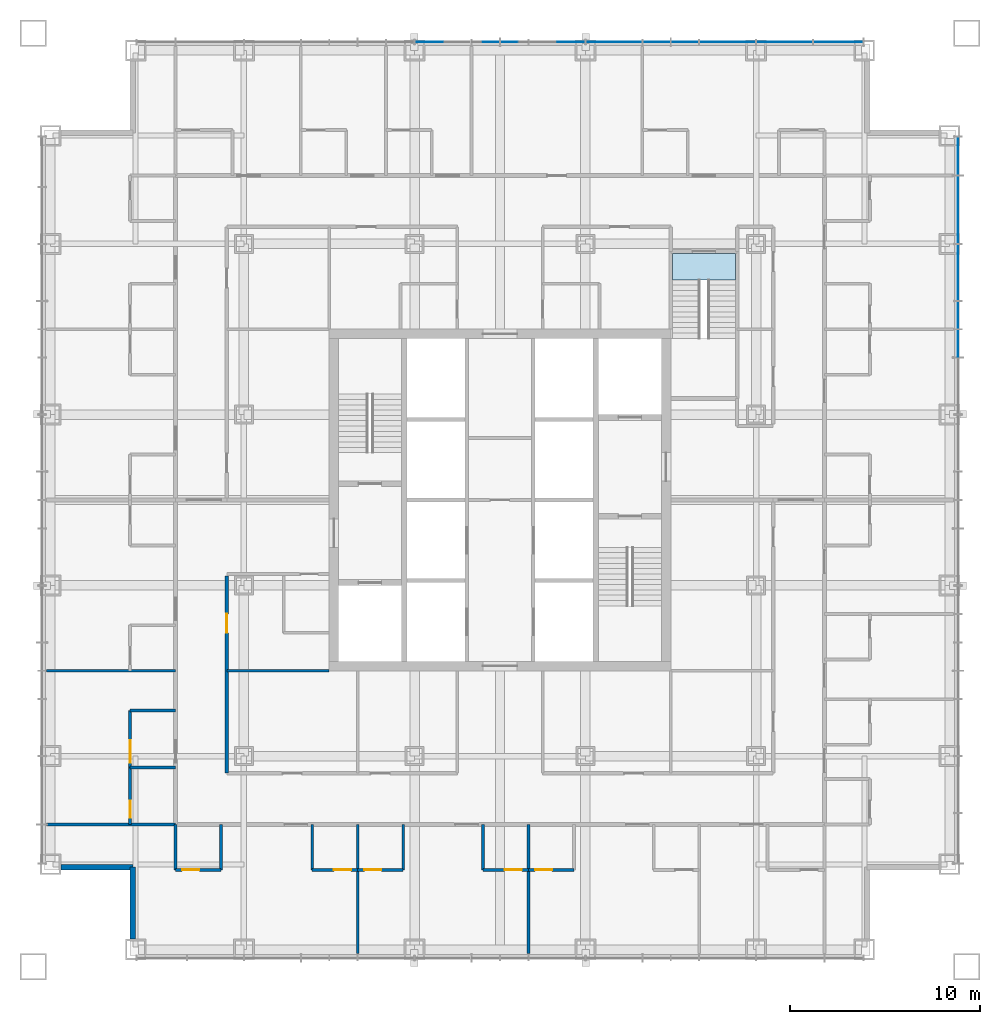
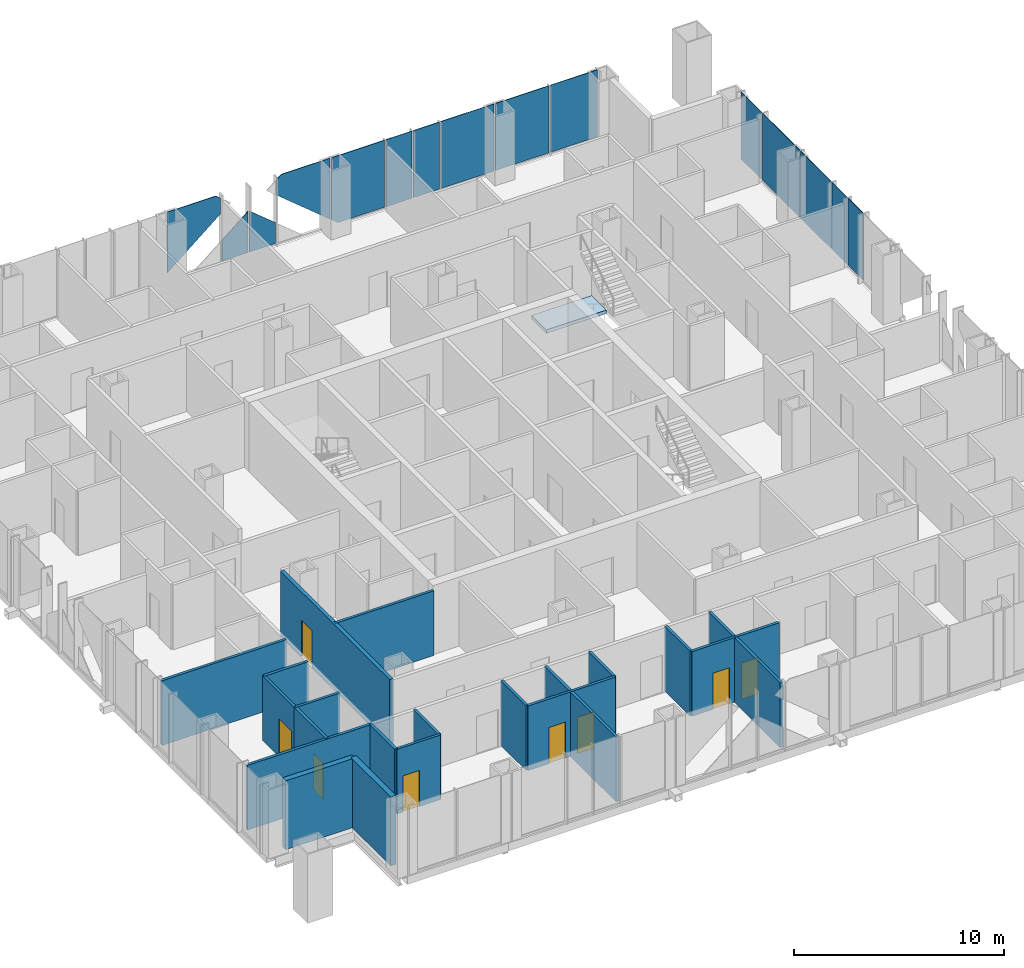
# One storey, part 8 of 16: 22 walls, 15 plates, 8 doors, 1 slab, 8 openings, 3 elements without a shape of their own.
"""IFC4 building model written with IfcOpenShell, lengths in metres."""

import ifcopenshell
import ifcopenshell.guid

model = None  # the IFC model being written
_history = None  # IfcOwnerHistory: only IFC2X3 demands one
_inside = {}  # id of a spatial element -> (the spatial element, [elements in it])
_under = {}  # id of a project, library or spatial element -> (it, [spatial elements below it])
_declared = {}  # id of a project -> (the project, [libraries it declares])
_typed = {}  # id of a type object -> (the type object, [elements of that type])
_made_of = {}  # id of a material, layer set ... -> (it, [elements and type objects made of it])


def new_model(schema):
    """Start an empty IFC model of exactly this schema.

    Asked for "IFC4X3", IfcOpenShell would pick the latest addendum, in which some entities
    have other attributes; the version numbers below select the first issue.
    IFC2X3 requires an IfcOwnerHistory on every rooted entity: one is made here for all.
    """
    global model, _history
    if schema == "IFC4X3":
        model = ifcopenshell.file(schema_version=(4, 3, 0, 0))
    else:
        model = ifcopenshell.file(schema=schema)
    _inside.clear()
    _under.clear()
    _declared.clear()
    _typed.clear()
    _made_of.clear()
    _history = None
    if model.schema == "IFC2X3":
        org = make("IfcOrganization", Name="unknown")
        user = make(
            "IfcPersonAndOrganization",
            ThePerson=make("IfcPerson", FamilyName="unknown"),
            TheOrganization=org,
        )
        app = make(
            "IfcApplication",
            ApplicationDeveloper=org,
            Version="unknown",
            ApplicationFullName="unknown",
            ApplicationIdentifier="unknown",
        )
        _history = make(
            "IfcOwnerHistory",
            OwningUser=user,
            OwningApplication=app,
            ChangeAction="ADDED",
            CreationDate=0,
        )
    return model


def make(cls, **values):
    """One entity of the class cls with the attributes given. An attribute that is None is left unset."""
    return model.create_entity(
        cls, **{name: value for name, value in values.items() if value is not None}
    )


def rooted(cls, **values):
    """An entity with a GlobalId (a new one), such as an element, a storey or a relation."""
    return make(cls, GlobalId=ifcopenshell.guid.new(), OwnerHistory=_history, **values)


def si_unit(unit_type, name, prefix=None):
    """IfcSIUnit, for example si_unit("LENGTHUNIT", "METRE", prefix="MILLI")."""
    return make("IfcSIUnit", UnitType=unit_type, Prefix=prefix, Name=name)


def assignment(units):
    """IfcUnitAssignment: the units of a project."""
    return None if units is None else make("IfcUnitAssignment", Units=units)


def point(xyz):
    """IfcCartesianPoint."""
    return None if xyz is None else make("IfcCartesianPoint", Coordinates=xyz)


def direction(xyz):
    """IfcDirection."""
    return None if xyz is None else make("IfcDirection", DirectionRatios=xyz)


def frame(location, z_axis=None, x_axis=None):
    """IfcAxis2Placement3D, a coordinate frame: its origin and axes. An axis left out is left unset."""
    return make(
        "IfcAxis2Placement3D",
        Location=point(location),
        Axis=direction(z_axis),
        RefDirection=direction(x_axis),
    )


def frame_2d(location, x_axis=None):
    """IfcAxis2Placement2D, a coordinate frame in the plane: its origin and x axis."""
    return make(
        "IfcAxis2Placement2D", Location=point(location), RefDirection=direction(x_axis)
    )


def origin():
    """The frame at (0, 0, 0) with its axes left unset."""
    return frame((0.0, 0.0, 0.0))


def origin_2d():
    """The frame at (0, 0) in the plane with its x axis left unset."""
    return frame_2d((0.0, 0.0))


def place(relative_to, where):
    """IfcLocalPlacement: puts the frame where relative to a parent placement (None: the world)."""
    return make(
        "IfcLocalPlacement", PlacementRelTo=relative_to, RelativePlacement=where
    )


def context(
    kind, dimensions, precision=None, world=None, true_north=None, identifier=None
):
    """IfcGeometricRepresentationContext, for example the 3D "Model" context."""
    return make(
        "IfcGeometricRepresentationContext",
        ContextIdentifier=identifier,
        ContextType=kind,
        CoordinateSpaceDimension=dimensions,
        Precision=precision,
        WorldCoordinateSystem=world,
        TrueNorth=true_north,
    )


def subcontext(parent, identifier, kind, view, scale=None):
    """IfcGeometricRepresentationSubContext, for example "Body" below "Model"."""
    return make(
        "IfcGeometricRepresentationSubContext",
        ContextIdentifier=identifier,
        ContextType=kind,
        ParentContext=parent,
        TargetScale=scale,
        TargetView=view,
    )


def project(units=None, contexts=None):
    """IfcProject with its units and contexts."""
    return rooted(
        "IfcProject",
        Name="project",
        RepresentationContexts=contexts,
        UnitsInContext=assignment(units),
    )


def spatial(cls, under=None, at=None, **own):
    """A site, building, storey or space (cls), placed at a placement, below another one or the project."""
    s = rooted(cls, ObjectPlacement=at, **own)
    if under is not None:
        _under.setdefault(under.id(), (under, []))[1].append(s)
    return s


def polyline(points):
    """IfcPolyline through the points."""
    return make("IfcPolyline", Points=[point(p) for p in points])


def profile(cls, at=None, kind="AREA", **sizes):
    """A parametric profile (cls). Its sizes go by their IFC names, for example OverallWidth=200.0."""
    return make(cls, ProfileType=kind, Position=at, **sizes)


def rectangle(**sizes):
    """IfcRectangleProfileDef."""
    return profile("IfcRectangleProfileDef", **sizes)


def outline(outer, holes=None, kind="AREA"):
    """IfcArbitraryClosedProfileDef: a profile drawn as a closed curve; with holes, ...WithVoids."""
    if holes is None:
        return make("IfcArbitraryClosedProfileDef", ProfileType=kind, OuterCurve=outer)
    return make(
        "IfcArbitraryProfileDefWithVoids",
        ProfileType=kind,
        OuterCurve=outer,
        InnerCurves=holes,
    )


def extrude(swept, where, along, depth):
    """IfcExtrudedAreaSolid: the profile swept, set in the frame where, extruded along a direction by depth."""
    return make(
        "IfcExtrudedAreaSolid",
        SweptArea=swept,
        Position=where,
        ExtrudedDirection=direction(along),
        Depth=depth,
    )


def shape(context_of_items, identifier, shape_type, items):
    """IfcShapeRepresentation: the items that make up one representation, for example the "Body"."""
    return make(
        "IfcShapeRepresentation",
        ContextOfItems=context_of_items,
        RepresentationIdentifier=identifier,
        RepresentationType=shape_type,
        Items=items,
    )


def material(Name=None, Category=None):
    """IfcMaterial."""
    return make("IfcMaterial", Name=Name, Category=Category)


def layer(
    of_material, thickness, ventilated=None, Name=None, Category=None, Priority=None
):
    """IfcMaterialLayer: one layer of a wall or slab, of a material (None: an air gap)."""
    return make(
        "IfcMaterialLayer",
        Material=of_material,
        LayerThickness=thickness,
        IsVentilated=ventilated,
        Name=Name,
        Category=Category,
        Priority=Priority,
    )


def layer_set(layers, Name=None):
    """IfcMaterialLayerSet."""
    return make("IfcMaterialLayerSet", MaterialLayers=layers, LayerSetName=Name)


def made_of(thing, what):
    """Note that an element or type object is made of a material, layer set ...; save() writes the relation."""
    if what is not None:
        _made_of.setdefault(what.id(), (what, []))[1].append(thing)
    return thing


def type_object(cls, material=None, **own):
    """A type object (cls), such as IfcWallType, which elements share."""
    return made_of(rooted(cls, **own), material)


def element(
    cls,
    number,
    at=None,
    inside=None,
    cuts=None,
    type_object=None,
    material=None,
    context=None,
    identifier="Body",
    shape_type=None,
    held_by="IfcProductDefinitionShape",
    body=None,
    shapes=None,
    **own,
):
    """One element of the class cls, such as IfcWall. Its Tag is "e" and its number.

    at: its placement. inside: the storey or other place that contains it. cuts: it is an
    opening in that element (IfcRelVoidsElement). A single representation is given by context,
    identifier, shape_type and body (its items); several are given by shapes. held_by: the class
    of the entity that holds the representations. save() writes the other relations.
    """
    e = rooted(cls, Tag="e%d" % number, ObjectPlacement=at, **own)
    if body is not None:
        shapes = [shape(context, identifier, shape_type, body)]
    if shapes is not None:
        e.Representation = make(held_by, Representations=shapes)
    if inside is not None:
        _inside.setdefault(inside.id(), (inside, []))[1].append(e)
    if cuts is not None:
        rooted(
            "IfcRelVoidsElement", RelatingBuildingElement=cuts, RelatedOpeningElement=e
        )
    if type_object is not None:
        _typed.setdefault(type_object.id(), (type_object, []))[1].append(e)
    return made_of(e, material)


def fill(opening, filler):
    """IfcRelFillsElement: the door or window that sits in an opening."""
    return rooted(
        "IfcRelFillsElement",
        RelatingOpeningElement=opening,
        RelatedBuildingElement=filler,
    )


def aggregate(whole, parts):
    """IfcRelAggregates: a whole, such as a stair, and the parts it consists of."""
    return rooted("IfcRelAggregates", RelatingObject=whole, RelatedObjects=parts)


def save(model, path):
    """Write the relations noted so far, then the file.

    IfcRelAggregates (storeys below a building ...), IfcRelContainedInSpatialStructure (elements
    in a storey), IfcRelDefinesByType, IfcRelAssociatesMaterial and IfcRelDeclares: one each for
    every whole, place, type object, material and project.
    """
    for whole, parts in _under.values():
        aggregate(whole, parts)
    for where, things in _inside.values():
        rooted(
            "IfcRelContainedInSpatialStructure",
            RelatedElements=things,
            RelatingStructure=where,
        )
    for kind, things in _typed.values():
        rooted("IfcRelDefinesByType", RelatedObjects=things, RelatingType=kind)
    for what, things in _made_of.values():
        rooted("IfcRelAssociatesMaterial", RelatedObjects=things, RelatingMaterial=what)
    for by, libraries in _declared.values():
        rooted("IfcRelDeclares", RelatingContext=by, RelatedDefinitions=libraries)
    model.write(path)


model = new_model("IFC4")

# Units and contexts
model_context = context("Model", 3, precision=1e-05, world=origin(), true_north=direction((0.0, 1.0)))
body_context = subcontext(model_context, "Body", "Model", "MODEL_VIEW")
ifc_project = project(units=[si_unit("LENGTHUNIT", "METRE"), si_unit("AREAUNIT", "SQUARE_METRE"), si_unit("VOLUMEUNIT", "CUBIC_METRE"), si_unit("PLANEANGLEUNIT", "RADIAN"), si_unit("MASSUNIT", "GRAM", prefix="KILO")], contexts=[model_context])

# Site, building, storey
site_placement = place(None, origin())
site = spatial("IfcSite", under=ifc_project, at=site_placement, CompositionType="ELEMENT")
building_placement = place(site_placement, origin())
building = spatial("IfcBuilding", under=site, at=building_placement, Name="Malebo Sky Hospital", CompositionType="ELEMENT")
storey_placement = place(building_placement, frame((0.0, 0.0, 116.0)))
storey = spatial("IfcBuildingStorey", under=building, at=storey_placement, Name="L27", CompositionType="ELEMENT", Elevation=116.0)

# Stair, slab
ifc_material_1 = material(Name="Concrete C40/50", Category="concrete")
stair_type = type_object("IfcStairType", Name="HALF-TURN STAIR 1400 R167", PredefinedType="HALF_TURN_STAIR", material=ifc_material_1)
stair_placement = place(storey_placement, origin())
stair = element("IfcStair", 1, at=stair_placement, inside=storey, type_object=stair_type, Name="Stair S3 L27 type ST1B", PredefinedType="HALF_TURN_STAIR")
ifc_layer_1 = layer(ifc_material_1, 0.199951171875)
ifc_layer_set_1 = layer_set([ifc_layer_1], Name="STAIR LANDING 200")
slab_type = type_object("IfcSlabType", Name="STAIR LANDING 200", PredefinedType="LANDING", material=ifc_layer_set_1)
slab_placement = place(storey_placement, frame((0.0, 0.0, -0.199951171875)))
slab = element("IfcSlab", 2, at=slab_placement, type_object=slab_type, Name="S3 landing 1", PredefinedType="LANDING", context=body_context, shape_type="SweptSolid", body=[
    extrude(outline(polyline([(69.10009765625, 73.60009765625), (72.39990234375, 73.60009765625), (72.39990234375, 75.0), (69.10009765625, 75.0), (69.10009765625, 73.60009765625)])), origin(), (0.0, 0.0, 1.0), 0.199951171875),
])
aggregate(stair, [slab])

# Curtain wall, plates
ifc_material_2 = material(Name="Anodised aluminium, natural silver", Category="aluminium")
ifc_layer_2 = layer(ifc_material_2, 0.25)
ifc_layer_set_2 = layer_set([ifc_layer_2], Name="WARD CURTAIN WALL NORTH AND SOUTH")
curtain_wall_type_1 = type_object("IfcCurtainWallType", Name="WARD CURTAIN WALL NORTH AND SOUTH", PredefinedType="NOTDEFINED", material=ifc_layer_set_2)
curtain_wall_1_placement = place(storey_placement, origin())
curtain_wall_1 = element("IfcCurtainWall", 3, at=curtain_wall_1_placement, inside=storey, type_object=curtain_wall_type_1, Name="NS curtain wall N", PredefinedType="NOTDEFINED")
ifc_material_3 = material(Name="Clear low-iron double glazing", Category="glass")
ifc_layer_3 = layer(ifc_material_3, 0.031982421875)
ifc_layer_set_3 = layer_set([ifc_layer_3], Name="VISION PANEL CLEAR 32")
plate_type = type_object("IfcPlateType", Name="VISION PANEL CLEAR 32", PredefinedType="CURTAIN_PANEL", material=ifc_layer_set_3)
plate_1_placement = place(storey_placement, frame((57.0, 86.135009765625, 0.457763671875), z_axis=(0.0, 0.0, 1.0), x_axis=(1.0, 0.0, 0.0)))
plate_1 = element("IfcPlate", 4, at=plate_1_placement, type_object=plate_type, Name="Panel 8", PredefinedType="CURTAIN_PANEL", context=body_context, shape_type="SweptSolid", body=[
    extrude(outline(polyline([(-1.46240234375, 0.0), (1.46240234375, 2.410888671875), (1.46240234375, 3.323974609375), (1.209716796875, 3.5322265625), (-1.46240234375, 3.5322265625), (-1.46240234375, 0.0)])), frame((0.0, 0.01611328125, 0.0), z_axis=(0.0, -1.0, 0.0), x_axis=(1.0, 0.0, 0.0)), (0.0, 0.0, 1.0), 0.031982421875),
])
plate_2_placement = place(storey_placement, frame((59.25, 86.135009765625, 0.10009765625), z_axis=(0.0, 0.0, 1.0), x_axis=(1.0, 0.0, 0.0)))
plate_2 = element("IfcPlate", 5, at=plate_2_placement, type_object=plate_type, Name="Panel 9", PredefinedType="CURTAIN_PANEL", context=body_context, shape_type="SweptSolid", body=[
    extrude(outline(polyline([(-0.71240234375, 0.0), (0.71240234375, 0.0), (0.71240234375, 2.383544921875), (-0.71240234375, 1.208984375), (-0.71240234375, 0.0)])), frame((0.0, 0.01611328125, 0.0), z_axis=(0.0, -1.0, 0.0), x_axis=(1.0, 0.0, 0.0)), (0.0, 0.0, 1.0), 0.031982421875),
])
plate_3_placement = place(storey_placement, frame((60.75, 86.135009765625, 0.10009765625), z_axis=(0.0, 0.0, 1.0), x_axis=(1.0, 0.0, 0.0)))
plate_3 = element("IfcPlate", 6, at=plate_3_placement, type_object=plate_type, Name="Panel 10", PredefinedType="CURTAIN_PANEL", context=body_context, shape_type="SweptSolid", body=[
    extrude(outline(polyline([(-0.71240234375, 0.0), (0.71240234375, 0.0), (0.71240234375, 1.208984375), (-0.71240234375, 2.383544921875), (-0.71240234375, 0.0)])), frame((0.0, 0.01611328125, 0.0), z_axis=(0.0, -1.0, 0.0), x_axis=(1.0, 0.0, 0.0)), (0.0, 0.0, 1.0), 0.031982421875),
])
plate_4_placement = place(storey_placement, frame((63.0, 86.135009765625, 0.457763671875), z_axis=(0.0, 0.0, 1.0), x_axis=(1.0, 0.0, 0.0)))
plate_4 = element("IfcPlate", 7, at=plate_4_placement, type_object=plate_type, Name="Panel 11", PredefinedType="CURTAIN_PANEL", context=body_context, shape_type="SweptSolid", body=[
    extrude(outline(polyline([(1.46240234375, 0.0), (1.46240234375, 3.5322265625), (-1.209716796875, 3.5322265625), (-1.46240234375, 3.323974609375), (-1.46240234375, 2.410888671875), (1.46240234375, 0.0)])), frame((0.0, 0.01611328125, 0.0), z_axis=(0.0, -1.0, 0.0), x_axis=(1.0, 0.0, 0.0)), (0.0, 0.0, 1.0), 0.031982421875),
])
plate_5_placement = place(storey_placement, frame((66.0, 86.135009765625, 0.10009765625), z_axis=(0.0, 0.0, 1.0), x_axis=(1.0, 0.0, 0.0)))
plate_5 = element("IfcPlate", 8, at=plate_5_placement, type_object=plate_type, Name="Panel 12", PredefinedType="CURTAIN_PANEL", context=body_context, shape_type="SweptSolid", body=[
    extrude(outline(polyline([(-1.103515625, 0.0), (1.46240234375, 0.0), (1.46240234375, 3.889892578125), (-1.46240234375, 3.889892578125), (-1.46240234375, 0.2958984375), (-1.103515625, 0.0)])), frame((0.0, 0.01611328125, 0.0), z_axis=(0.0, -1.0, 0.0), x_axis=(1.0, 0.0, 0.0)), (0.0, 0.0, 1.0), 0.031982421875),
])
plate_6_placement = place(storey_placement, frame((68.25, 86.135009765625, 0.10009765625), z_axis=(0.0, 0.0, 1.0), x_axis=(1.0, 0.0, 0.0)))
plate_6 = element("IfcPlate", 9, at=plate_6_placement, type_object=plate_type, Name="Panel 13", PredefinedType="CURTAIN_PANEL", context=body_context, shape_type="SweptSolid", body=[
    extrude(rectangle(XDim=1.425048828125, YDim=0.031982421875, at=origin_2d()), origin(), (0.0, 0.0, 1.0), 3.889892578125),
])
plate_7_placement = place(storey_placement, frame((69.75, 86.135009765625, 0.10009765625), z_axis=(0.0, 0.0, 1.0), x_axis=(1.0, 0.0, 0.0)))
plate_7 = element("IfcPlate", 10, at=plate_7_placement, type_object=plate_type, Name="Panel 14", PredefinedType="CURTAIN_PANEL", context=body_context, shape_type="SweptSolid", body=[
    extrude(rectangle(XDim=1.425048828125, YDim=0.031982421875, at=origin_2d()), origin(), (0.0, 0.0, 1.0), 3.889892578125),
])
plate_8_placement = place(storey_placement, frame((72.0, 86.135009765625, 0.10009765625), z_axis=(0.0, 0.0, 1.0), x_axis=(1.0, 0.0, 0.0)))
plate_8 = element("IfcPlate", 11, at=plate_8_placement, type_object=plate_type, Name="Panel 15", PredefinedType="CURTAIN_PANEL", context=body_context, shape_type="SweptSolid", body=[
    extrude(rectangle(XDim=2.925048828125, YDim=0.031982421875, at=origin_2d()), origin(), (0.0, 0.0, 1.0), 3.889892578125),
])
plate_9_placement = place(storey_placement, frame((75.0, 86.135009765625, 0.10009765625), z_axis=(0.0, 0.0, 1.0), x_axis=(1.0, 0.0, 0.0)))
plate_9 = element("IfcPlate", 12, at=plate_9_placement, type_object=plate_type, Name="Panel 16", PredefinedType="CURTAIN_PANEL", context=body_context, shape_type="SweptSolid", body=[
    extrude(rectangle(XDim=2.925048828125, YDim=0.031982421875, at=origin_2d()), origin(), (0.0, 0.0, 1.0), 3.889892578125),
])
plate_10_placement = place(storey_placement, frame((77.831298828125, 86.135009765625, 0.10009765625), z_axis=(0.0, 0.0, 1.0), x_axis=(1.0, 0.0, 0.0)))
plate_10 = element("IfcPlate", 13, at=plate_10_placement, type_object=plate_type, Name="Panel 17", PredefinedType="CURTAIN_PANEL", context=body_context, shape_type="SweptSolid", body=[
    extrude(rectangle(XDim=2.58740234375, YDim=0.031982421875, at=origin_2d()), origin(), (0.0, 0.0, 1.0), 3.889892578125),
])
aggregate(curtain_wall_1, [plate_1, plate_2, plate_3, plate_4, plate_5, plate_6, plate_7, plate_8, plate_9, plate_10])

ifc_layer_4 = layer(ifc_material_2, 0.25)
ifc_layer_set_4 = layer_set([ifc_layer_4], Name="WARD CURTAIN WALL EAST AND WEST")
curtain_wall_type_2 = type_object("IfcCurtainWallType", Name="WARD CURTAIN WALL EAST AND WEST", PredefinedType="NOTDEFINED", material=ifc_layer_set_4)
curtain_wall_2_placement = place(storey_placement, origin())
curtain_wall_2 = element("IfcCurtainWall", 14, at=curtain_wall_2_placement, inside=storey, type_object=curtain_wall_type_2, Name="EW curtain wall E", PredefinedType="NOTDEFINED")
plate_11_placement = place(storey_placement, frame((84.135009765625, 80.13134765625, 0.10009765625), z_axis=(0.0, 0.0, 1.0), x_axis=(0.0, -1.0, 0.0)))
plate_11 = element("IfcPlate", 15, at=plate_11_placement, type_object=plate_type, Name="Panel 1", PredefinedType="CURTAIN_PANEL", context=body_context, shape_type="SweptSolid", body=[
    extrude(rectangle(XDim=1.987548828125, YDim=0.031982421875, at=origin_2d()), origin(), (0.0, 0.0, 1.0), 3.889892578125),
])
plate_12_placement = place(storey_placement, frame((84.135009765625, 77.300048828125, 0.10009765625), z_axis=(0.0, 0.0, 1.0), x_axis=(0.0, -1.0, 0.0)))
plate_12 = element("IfcPlate", 16, at=plate_12_placement, type_object=plate_type, Name="Panel 2", PredefinedType="CURTAIN_PANEL", context=body_context, shape_type="SweptSolid", body=[
    extrude(rectangle(XDim=3.52490234375, YDim=0.031982421875, at=origin_2d()), origin(), (0.0, 0.0, 1.0), 3.889892578125),
])
plate_13_placement = place(storey_placement, frame((84.135009765625, 74.0, 0.10009765625), z_axis=(0.0, 0.0, 1.0), x_axis=(0.0, -1.0, 0.0)))
plate_13 = element("IfcPlate", 17, at=plate_13_placement, type_object=plate_type, Name="Panel 3", PredefinedType="CURTAIN_PANEL", context=body_context, shape_type="SweptSolid", body=[
    extrude(rectangle(XDim=2.925048828125, YDim=0.031982421875, at=origin_2d()), origin(), (0.0, 0.0, 1.0), 3.889892578125),
])
plate_14_placement = place(storey_placement, frame((84.135009765625, 71.75, 0.10009765625), z_axis=(0.0, 0.0, 1.0), x_axis=(0.0, -1.0, 0.0)))
plate_14 = element("IfcPlate", 18, at=plate_14_placement, type_object=plate_type, Name="Panel 4", PredefinedType="CURTAIN_PANEL", context=body_context, shape_type="SweptSolid", body=[
    extrude(rectangle(XDim=1.425048828125, YDim=0.031982421875, at=origin_2d()), origin(), (0.0, 0.0, 1.0), 3.889892578125),
])
plate_15_placement = place(storey_placement, frame((84.135009765625, 70.25, 0.10009765625), z_axis=(0.0, 0.0, 1.0), x_axis=(0.0, -1.0, 0.0)))
plate_15 = element("IfcPlate", 19, at=plate_15_placement, type_object=plate_type, Name="Panel 5", PredefinedType="CURTAIN_PANEL", context=body_context, shape_type="SweptSolid", body=[
    extrude(rectangle(XDim=1.425048828125, YDim=0.031982421875, at=origin_2d()), origin(), (0.0, 0.0, 1.0), 3.889892578125),
])
aggregate(curtain_wall_2, [plate_11, plate_12, plate_13, plate_14, plate_15])

# Wall, opening, door
ifc_material_4 = material(Name="Gypsum board on steel studs", Category="steel")
ifc_layer_5 = layer(ifc_material_4, 0.199951171875)
ifc_layer_set_5 = layer_set([ifc_layer_5], Name="CORRIDOR WALL 200")
wall_type_1 = type_object("IfcWallType", Name="CORRIDOR WALL 200", PredefinedType="PARTITIONING", material=ifc_layer_set_5)
wall_1_placement = place(storey_placement, frame((45.60009765625, 47.60009765625, 0.0), z_axis=(0.0, 0.0, 1.0), x_axis=(0.0, 1.0, 0.0)))
wall_1 = element("IfcWall", 20, at=wall_1_placement, inside=storey, type_object=wall_type_1, Name="Corridor Wall 200 WCI1", PredefinedType="PARTITIONING", context=body_context, shape_type="SweptSolid", body=[
    extrude(rectangle(XDim=10.39990234375, YDim=0.199951171875, at=frame_2d((5.199951171875, 0.0))), origin(), (0.0, 0.0, 1.0), 3.75),
])
opening_1_placement = place(wall_1_placement, frame((7.39990234375, 0.0, 0.0)))
opening_1 = element("IfcOpeningElement", 21, at=opening_1_placement, cuts=wall_1, Name="Opening D03", PredefinedType="OPENING", context=body_context, shape_type="SweptSolid", body=[
    extrude(rectangle(XDim=1.0, YDim=2.10009765625, at=frame_2d((0.5, 1.050048828125))), frame((0.0, 0.10986328125, 0.0), z_axis=(0.0, -1.0, 0.0), x_axis=(1.0, 0.0, 0.0)), (0.0, 0.0, 1.0), 0.219970703125),
])
ifc_material_5 = material(Name="Hardwood-faced door leaf in steel frame", Category="steel")
door_type_1 = type_object("IfcDoorType", Name="ROOM DOOR 1000", OperationType="SINGLE_SWING_LEFT", PredefinedType="DOOR", material=ifc_material_5)
door_1_placement = place(opening_1_placement, origin())
door_1 = element("IfcDoor", 22, at=door_1_placement, inside=storey, type_object=door_type_1, Name="Linen store door", OperationType="SINGLE_SWING_LEFT", OverallHeight=2.10009765625, OverallWidth=1.0, PredefinedType="DOOR", context=body_context, shape_type="SweptSolid", body=[
    extrude(rectangle(XDim=1.0, YDim=2.10009765625, at=frame_2d((0.5, 1.050048828125))), frame((0.0, 0.02490234375, 0.0), z_axis=(0.0, -1.0, 0.0), x_axis=(1.0, 0.0, 0.0)), (0.0, 0.0, 1.0), 0.050048828125),
])
fill(opening_1, door_1)

# Walls
ifc_material_6 = material(Name="Anodised aluminium rainscreen on steel framing", Category="steel")
ifc_layer_6 = layer(ifc_material_6, 0.300048828125)
ifc_layer_set_6 = layer_set([ifc_layer_6], Name="NOTCH RAINSCREEN WALL 300")
wall_type_2 = type_object("IfcWallType", Name="NOTCH RAINSCREEN WALL 300", PredefinedType="ELEMENTEDWALL", material=ifc_layer_set_6)
for number, where, z_axis, x_axis, name in (
    (23, (40.64990234375, 38.85009765625, 0.0), (0.0, 0.0, 1.0), (0.0, 1.0, 0.0), "Notch rainscreen wall S1 L27"),
    (24, (40.64990234375, 42.64990234375, 0.0), (0.0, 0.0, 1.0), (-1.0, 0.0, 0.0), "Notch rainscreen wall S2 L27"),
):
    element("IfcWall", number, at=place(storey_placement, frame(where, z_axis=z_axis, x_axis=x_axis)), inside=storey, type_object=wall_type_2, Name=name, PredefinedType="ELEMENTEDWALL", context=body_context, shape_type="SweptSolid", body=[
        extrude(rectangle(XDim=3.7998046875, YDim=0.300048828125, at=frame_2d((1.89990234375, 0.0))), origin(), (0.0, 0.0, 1.0), 4.0),
    ])
ifc_layer_7 = layer(ifc_material_4, 0.14990234375)
ifc_layer_set_7 = layer_set([ifc_layer_7], Name="PARTITION 150")
wall_type_3 = type_object("IfcWallType", Name="PARTITION 150", PredefinedType="PARTITIONING", material=ifc_layer_set_7)
for number, where, z_axis, x_axis, name in (
    (25, (42.89990234375, 53.0, 0.0), (0.0, 0.0, 1.0), (-1.0, 0.0, 0.0), "Partition 150 WP-9.0"),
    (26, (42.89990234375, 44.89990234375, 0.0), (0.0, 0.0, 1.0), (-1.0, 0.0, 0.0), "Partition 150 WP0"),
):
    element("IfcWall", number, at=place(storey_placement, frame(where, z_axis=z_axis, x_axis=x_axis)), inside=storey, type_object=wall_type_3, Name=name, PredefinedType="PARTITIONING", context=body_context, shape_type="SweptSolid", body=[
        extrude(rectangle(XDim=6.809814453125, YDim=0.14990234375, at=frame_2d((3.40478515625, 0.0))), origin(), (0.0, 0.0, 1.0), 3.75),
    ])

# Wall, opening, door
wall_2_placement = place(storey_placement, frame((40.5, 44.89990234375, 0.0), z_axis=(0.0, 0.0, 1.0), x_axis=(0.0, 1.0, 0.0)))
wall_2 = element("IfcWall", 27, at=wall_2_placement, inside=storey, type_object=wall_type_3, Name="Partition 150 WE0F", PredefinedType="PARTITIONING", context=body_context, shape_type="SweptSolid", body=[
    extrude(rectangle(XDim=3.0, YDim=0.14990234375, at=frame_2d((1.5, 0.0))), origin(), (0.0, 0.0, 1.0), 3.75),
])
opening_2_placement = place(wall_2_placement, frame((0.35009765625, 0.0, 0.0)))
opening_2 = element("IfcOpeningElement", 28, at=opening_2_placement, cuts=wall_2, Name="Opening D02", PredefinedType="OPENING", context=body_context, shape_type="SweptSolid", body=[
    extrude(rectangle(XDim=0.89990234375, YDim=2.10009765625, at=frame_2d((0.449951171875, 1.050048828125))), frame((0.0, 0.0849609375, 0.0), z_axis=(0.0, -1.0, 0.0), x_axis=(1.0, 0.0, 0.0)), (0.0, 0.0, 1.0), 0.169921875),
])
door_type_2 = type_object("IfcDoorType", Name="EN-SUITE DOOR 900", OperationType="SINGLE_SWING_LEFT", PredefinedType="DOOR", material=ifc_material_5)
door_2_placement = place(opening_2_placement, origin())
door_2 = element("IfcDoor", 29, at=door_2_placement, inside=storey, type_object=door_type_2, Name="En-suite door", OperationType="SINGLE_SWING_LEFT", OverallHeight=2.10009765625, OverallWidth=0.89990234375, PredefinedType="DOOR", context=body_context, shape_type="SweptSolid", body=[
    extrude(rectangle(XDim=0.89990234375, YDim=2.10009765625, at=frame_2d((0.449951171875, 1.050048828125))), frame((0.0, 0.02490234375, 0.0), z_axis=(0.0, -1.0, 0.0), x_axis=(1.0, 0.0, 0.0)), (0.0, 0.0, 1.0), 0.050048828125),
])
fill(opening_2, door_2)

# Walls
wall_3_placement = place(storey_placement, frame((42.89990234375, 47.89990234375, 0.0), z_axis=(0.0, 0.0, 1.0), x_axis=(-1.0, 0.0, 0.0)))
element("IfcWall", 30, at=wall_3_placement, inside=storey, type_object=wall_type_3, Name="Partition 150 WE0S", PredefinedType="PARTITIONING", context=body_context, shape_type="SweptSolid", body=[
    extrude(rectangle(XDim=2.39990234375, YDim=0.14990234375, at=frame_2d((1.199951171875, 0.0))), origin(), (0.0, 0.0, 1.0), 3.75),
])
wall_4_placement = place(storey_placement, frame((51.0, 53.0, 0.0), z_axis=(0.0, 0.0, 1.0), x_axis=(-1.0, 0.0, 0.0)))
element("IfcWall", 31, at=wall_4_placement, inside=storey, type_object=wall_type_3, Name="Partition 150 WSP0", PredefinedType="PARTITIONING", context=body_context, shape_type="SweptSolid", body=[
    extrude(rectangle(XDim=5.39990234375, YDim=0.14990234375, at=frame_2d((2.699951171875, 0.0))), origin(), (0.0, 0.0, 1.0), 3.75),
])
for number, where, z_axis, x_axis, name in (
    (32, (61.5, 44.89990234375, 0.0), (0.0, 0.0, 1.0), (0.0, -1.0, 0.0), "Partition 150 SP-1.5"),
    (33, (52.5, 44.89990234375, 0.0), (0.0, 0.0, 1.0), (0.0, -1.0, 0.0), "Partition 150 SP+7.5"),
):
    element("IfcWall", number, at=place(storey_placement, frame(where, z_axis=z_axis, x_axis=x_axis)), inside=storey, type_object=wall_type_3, Name=name, PredefinedType="PARTITIONING", context=body_context, shape_type="SweptSolid", body=[
        extrude(rectangle(XDim=6.809814453125, YDim=0.14990234375, at=frame_2d((3.40478515625, 0.0))), origin(), (0.0, 0.0, 1.0), 3.75),
    ])

# Wall, opening, door
wall_5_placement = place(storey_placement, frame((63.89990234375, 42.5, 0.0), z_axis=(0.0, 0.0, 1.0), x_axis=(-1.0, 0.0, 0.0)))
wall_5 = element("IfcWall", 34, at=wall_5_placement, inside=storey, type_object=wall_type_3, Name="Partition 150 SG1F", PredefinedType="PARTITIONING", context=body_context, shape_type="SweptSolid", body=[
    extrude(rectangle(XDim=2.39990234375, YDim=0.14990234375, at=frame_2d((1.199951171875, 0.0))), origin(), (0.0, 0.0, 1.0), 3.75),
])
opening_3_placement = place(wall_5_placement, frame((1.14990234375, 0.0, 0.0)))
opening_3 = element("IfcOpeningElement", 35, at=opening_3_placement, cuts=wall_5, Name="Opening D02", PredefinedType="OPENING", context=body_context, shape_type="SweptSolid", body=[
    extrude(rectangle(XDim=0.89990234375, YDim=2.10009765625, at=frame_2d((0.449951171875, 1.050048828125))), frame((0.0, 0.0849609375, 0.0), z_axis=(0.0, -1.0, 0.0), x_axis=(1.0, 0.0, 0.0)), (0.0, 0.0, 1.0), 0.169921875),
])
door_3_placement = place(opening_3_placement, origin())
door_3 = element("IfcDoor", 36, at=door_3_placement, inside=storey, type_object=door_type_2, Name="En-suite door", OperationType="SINGLE_SWING_RIGHT", OverallHeight=2.10009765625, OverallWidth=0.89990234375, PredefinedType="DOOR", context=body_context, shape_type="SweptSolid", body=[
    extrude(rectangle(XDim=0.89990234375, YDim=2.10009765625, at=frame_2d((0.449951171875, 1.050048828125))), frame((0.0, 0.02490234375, 0.0), z_axis=(0.0, -1.0, 0.0), x_axis=(1.0, 0.0, 0.0)), (0.0, 0.0, 1.0), 0.050048828125),
])
fill(opening_3, door_3)

wall_6_placement = place(storey_placement, frame((61.5, 42.5, 0.0), z_axis=(0.0, 0.0, 1.0), x_axis=(-1.0, 0.0, 0.0)))
wall_6 = element("IfcWall", 37, at=wall_6_placement, inside=storey, type_object=wall_type_3, Name="Partition 150 SE2F", PredefinedType="PARTITIONING", context=body_context, shape_type="SweptSolid", body=[
    extrude(rectangle(XDim=2.39990234375, YDim=0.14990234375, at=frame_2d((1.199951171875, 0.0))), origin(), (0.0, 0.0, 1.0), 3.75),
])
opening_4_placement = place(wall_6_placement, frame((0.35009765625, 0.0, 0.0)))
opening_4 = element("IfcOpeningElement", 38, at=opening_4_placement, cuts=wall_6, Name="Opening D02", PredefinedType="OPENING", context=body_context, shape_type="SweptSolid", body=[
    extrude(rectangle(XDim=0.89990234375, YDim=2.10009765625, at=frame_2d((0.449951171875, 1.050048828125))), frame((0.0, 0.0849609375, 0.0), z_axis=(0.0, -1.0, 0.0), x_axis=(1.0, 0.0, 0.0)), (0.0, 0.0, 1.0), 0.169921875),
])
door_4_placement = place(opening_4_placement, origin())
door_4 = element("IfcDoor", 39, at=door_4_placement, inside=storey, type_object=door_type_2, Name="En-suite door", OperationType="SINGLE_SWING_LEFT", OverallHeight=2.10009765625, OverallWidth=0.89990234375, PredefinedType="DOOR", context=body_context, shape_type="SweptSolid", body=[
    extrude(rectangle(XDim=0.89990234375, YDim=2.10009765625, at=frame_2d((0.449951171875, 1.050048828125))), frame((0.0, 0.02490234375, 0.0), z_axis=(0.0, -1.0, 0.0), x_axis=(1.0, 0.0, 0.0)), (0.0, 0.0, 1.0), 0.050048828125),
])
fill(opening_4, door_4)

# Wall
wall_7_placement = place(storey_placement, frame((59.10009765625, 44.89990234375, 0.0), z_axis=(0.0, 0.0, 1.0), x_axis=(0.0, -1.0, 0.0)))
element("IfcWall", 40, at=wall_7_placement, inside=storey, type_object=wall_type_3, Name="Partition 150 SE2S", PredefinedType="PARTITIONING", context=body_context, shape_type="SweptSolid", body=[
    extrude(rectangle(XDim=2.39990234375, YDim=0.14990234375, at=frame_2d((1.199951171875, 0.0))), origin(), (0.0, 0.0, 1.0), 3.75),
])

# Wall, opening, door
wall_8_placement = place(storey_placement, frame((54.89990234375, 42.5, 0.0), z_axis=(0.0, 0.0, 1.0), x_axis=(-1.0, 0.0, 0.0)))
wall_8 = element("IfcWall", 41, at=wall_8_placement, inside=storey, type_object=wall_type_3, Name="Partition 150 SG2F", PredefinedType="PARTITIONING", context=body_context, shape_type="SweptSolid", body=[
    extrude(rectangle(XDim=2.39990234375, YDim=0.14990234375, at=frame_2d((1.199951171875, 0.0))), origin(), (0.0, 0.0, 1.0), 3.75),
])
opening_5_placement = place(wall_8_placement, frame((1.14990234375, 0.0, 0.0)))
opening_5 = element("IfcOpeningElement", 42, at=opening_5_placement, cuts=wall_8, Name="Opening D02", PredefinedType="OPENING", context=body_context, shape_type="SweptSolid", body=[
    extrude(rectangle(XDim=0.89990234375, YDim=2.10009765625, at=frame_2d((0.449951171875, 1.050048828125))), frame((0.0, 0.0849609375, 0.0), z_axis=(0.0, -1.0, 0.0), x_axis=(1.0, 0.0, 0.0)), (0.0, 0.0, 1.0), 0.169921875),
])
door_5_placement = place(opening_5_placement, origin())
door_5 = element("IfcDoor", 43, at=door_5_placement, inside=storey, type_object=door_type_2, Name="En-suite door", OperationType="SINGLE_SWING_RIGHT", OverallHeight=2.10009765625, OverallWidth=0.89990234375, PredefinedType="DOOR", context=body_context, shape_type="SweptSolid", body=[
    extrude(rectangle(XDim=0.89990234375, YDim=2.10009765625, at=frame_2d((0.449951171875, 1.050048828125))), frame((0.0, 0.02490234375, 0.0), z_axis=(0.0, -1.0, 0.0), x_axis=(1.0, 0.0, 0.0)), (0.0, 0.0, 1.0), 0.050048828125),
])
fill(opening_5, door_5)

# Wall
wall_9_placement = place(storey_placement, frame((54.89990234375, 44.89990234375, 0.0), z_axis=(0.0, 0.0, 1.0), x_axis=(0.0, -1.0, 0.0)))
element("IfcWall", 44, at=wall_9_placement, inside=storey, type_object=wall_type_3, Name="Partition 150 SG2S", PredefinedType="PARTITIONING", context=body_context, shape_type="SweptSolid", body=[
    extrude(rectangle(XDim=2.39990234375, YDim=0.14990234375, at=frame_2d((1.199951171875, 0.0))), origin(), (0.0, 0.0, 1.0), 3.75),
])

# Wall, opening, door
wall_10_placement = place(storey_placement, frame((52.5, 42.5, 0.0), z_axis=(0.0, 0.0, 1.0), x_axis=(-1.0, 0.0, 0.0)))
wall_10 = element("IfcWall", 45, at=wall_10_placement, inside=storey, type_object=wall_type_3, Name="Partition 150 SE3F", PredefinedType="PARTITIONING", context=body_context, shape_type="SweptSolid", body=[
    extrude(rectangle(XDim=2.39990234375, YDim=0.14990234375, at=frame_2d((1.199951171875, 0.0))), origin(), (0.0, 0.0, 1.0), 3.75),
])
opening_6_placement = place(wall_10_placement, frame((0.35009765625, 0.0, 0.0)))
opening_6 = element("IfcOpeningElement", 46, at=opening_6_placement, cuts=wall_10, Name="Opening D02", PredefinedType="OPENING", context=body_context, shape_type="SweptSolid", body=[
    extrude(rectangle(XDim=0.89990234375, YDim=2.10009765625, at=frame_2d((0.449951171875, 1.050048828125))), frame((0.0, 0.0849609375, 0.0), z_axis=(0.0, -1.0, 0.0), x_axis=(1.0, 0.0, 0.0)), (0.0, 0.0, 1.0), 0.169921875),
])
door_6_placement = place(opening_6_placement, origin())
door_6 = element("IfcDoor", 47, at=door_6_placement, inside=storey, type_object=door_type_2, Name="En-suite door", OperationType="SINGLE_SWING_LEFT", OverallHeight=2.10009765625, OverallWidth=0.89990234375, PredefinedType="DOOR", context=body_context, shape_type="SweptSolid", body=[
    extrude(rectangle(XDim=0.89990234375, YDim=2.10009765625, at=frame_2d((0.449951171875, 1.050048828125))), frame((0.0, 0.02490234375, 0.0), z_axis=(0.0, -1.0, 0.0), x_axis=(1.0, 0.0, 0.0)), (0.0, 0.0, 1.0), 0.050048828125),
])
fill(opening_6, door_6)

# Wall
wall_11_placement = place(storey_placement, frame((50.10009765625, 44.89990234375, 0.0), z_axis=(0.0, 0.0, 1.0), x_axis=(0.0, -1.0, 0.0)))
element("IfcWall", 48, at=wall_11_placement, inside=storey, type_object=wall_type_3, Name="Partition 150 SE3S", PredefinedType="PARTITIONING", context=body_context, shape_type="SweptSolid", body=[
    extrude(rectangle(XDim=2.39990234375, YDim=0.14990234375, at=frame_2d((1.199951171875, 0.0))), origin(), (0.0, 0.0, 1.0), 3.75),
])

# Wall, opening, door
wall_12_placement = place(storey_placement, frame((45.300048828125, 42.5, 0.0), z_axis=(0.0, 0.0, 1.0), x_axis=(-1.0, 0.0, 0.0)))
wall_12 = element("IfcWall", 49, at=wall_12_placement, inside=storey, type_object=wall_type_3, Name="Partition 150 SG3F", PredefinedType="PARTITIONING", context=body_context, shape_type="SweptSolid", body=[
    extrude(rectangle(XDim=2.400146484375, YDim=0.14990234375, at=frame_2d((1.2001953125, 0.0))), origin(), (0.0, 0.0, 1.0), 3.75),
])
opening_7_placement = place(wall_12_placement, frame((1.14990234375, 0.0, 0.0)))
opening_7 = element("IfcOpeningElement", 50, at=opening_7_placement, cuts=wall_12, Name="Opening D02", PredefinedType="OPENING", context=body_context, shape_type="SweptSolid", body=[
    extrude(rectangle(XDim=0.89990234375, YDim=2.10009765625, at=frame_2d((0.449951171875, 1.050048828125))), frame((0.0, 0.0849609375, 0.0), z_axis=(0.0, -1.0, 0.0), x_axis=(1.0, 0.0, 0.0)), (0.0, 0.0, 1.0), 0.169921875),
])
door_7_placement = place(opening_7_placement, origin())
door_7 = element("IfcDoor", 51, at=door_7_placement, inside=storey, type_object=door_type_2, Name="En-suite door", OperationType="SINGLE_SWING_RIGHT", OverallHeight=2.10009765625, OverallWidth=0.89990234375, PredefinedType="DOOR", context=body_context, shape_type="SweptSolid", body=[
    extrude(rectangle(XDim=0.89990234375, YDim=2.10009765625, at=frame_2d((0.449951171875, 1.050048828125))), frame((0.0, 0.02490234375, 0.0), z_axis=(0.0, -1.0, 0.0), x_axis=(1.0, 0.0, 0.0)), (0.0, 0.0, 1.0), 0.050048828125),
])
fill(opening_7, door_7)

# Walls
for number, where, z_axis, x_axis, name in (
    (52, (45.300048828125, 44.89990234375, 0.0), (0.0, 0.0, 1.0), (0.0, -1.0, 0.0), "Partition 150 SG3S"),
    (53, (42.89990234375, 44.89990234375, 0.0), (0.0, 0.0, 1.0), (0.0, -1.0, 0.0), "Partition 150 SEZ"),
):
    element("IfcWall", number, at=place(storey_placement, frame(where, z_axis=z_axis, x_axis=x_axis)), inside=storey, type_object=wall_type_3, Name=name, PredefinedType="PARTITIONING", context=body_context, shape_type="SweptSolid", body=[
        extrude(rectangle(XDim=2.39990234375, YDim=0.14990234375, at=frame_2d((1.199951171875, 0.0))), origin(), (0.0, 0.0, 1.0), 3.75),
    ])

# Wall, opening, door
ifc_material_7 = material(Name="Sealed gypsum board on steel studs, taped to the slab", Category="steel")
ifc_layer_8 = layer(ifc_material_7, 0.14990234375)
ifc_layer_set_8 = layer_set([ifc_layer_8], Name="SEALED ISOLATION PARTITION 150")
wall_type_4 = type_object("IfcWallType", Name="SEALED ISOLATION PARTITION 150", PredefinedType="PARTITIONING", material=ifc_layer_set_8)
wall_13_placement = place(storey_placement, frame((40.5, 47.89990234375, 0.0), z_axis=(0.0, 0.0, 1.0), x_axis=(0.0, 1.0, 0.0)))
wall_13 = element("IfcWall", 54, at=wall_13_placement, inside=storey, type_object=wall_type_4, Name="Sealed Isolation Partition 150 WA0F", PredefinedType="PARTITIONING", context=body_context, shape_type="SweptSolid", body=[
    extrude(rectangle(XDim=3.0, YDim=0.14990234375, at=frame_2d((1.5, 0.0))), origin(), (0.0, 0.0, 1.0), 3.75),
])
opening_8_placement = place(wall_13_placement, frame((0.25, 0.0, 0.0)))
opening_8 = element("IfcOpeningElement", 55, at=opening_8_placement, cuts=wall_13, Name="Opening D19", PredefinedType="OPENING", context=body_context, shape_type="SweptSolid", body=[
    extrude(rectangle(XDim=1.199951171875, YDim=2.199951171875, at=frame_2d((0.60009765625, 1.10009765625))), frame((0.0, 0.0849609375, 0.0), z_axis=(0.0, -1.0, 0.0), x_axis=(1.0, 0.0, 0.0)), (0.0, 0.0, 1.0), 0.169921875),
])
ifc_material_8 = material(Name="Hardwood-faced door leaf with perimeter seals in steel frame", Category="steel")
door_type_3 = type_object("IfcDoorType", Name="SEALED ISOLATION ROOM DOOR 1200", OperationType="SINGLE_SWING_LEFT", PredefinedType="DOOR", material=ifc_material_8)
door_8_placement = place(opening_8_placement, origin())
door_8 = element("IfcDoor", 56, at=door_8_placement, inside=storey, type_object=door_type_3, Name="Isolation room door", OperationType="SINGLE_SWING_LEFT", OverallHeight=2.199951171875, OverallWidth=1.199951171875, PredefinedType="DOOR", context=body_context, shape_type="SweptSolid", body=[
    extrude(rectangle(XDim=1.199951171875, YDim=2.199951171875, at=frame_2d((0.60009765625, 1.10009765625))), frame((0.0, 0.02490234375, 0.0), z_axis=(0.0, -1.0, 0.0), x_axis=(1.0, 0.0, 0.0)), (0.0, 0.0, 1.0), 0.050048828125),
])
fill(opening_8, door_8)

# Wall
wall_14_placement = place(storey_placement, frame((42.89990234375, 50.89990234375, 0.0), z_axis=(0.0, 0.0, 1.0), x_axis=(-1.0, 0.0, 0.0)))
element("IfcWall", 57, at=wall_14_placement, inside=storey, type_object=wall_type_4, Name="Sealed Isolation Partition 150 WA0S", PredefinedType="PARTITIONING", context=body_context, shape_type="SweptSolid", body=[
    extrude(rectangle(XDim=2.39990234375, YDim=0.14990234375, at=frame_2d((1.199951171875, 0.0))), origin(), (0.0, 0.0, 1.0), 3.75),
])

save(model, "model.ifc")
